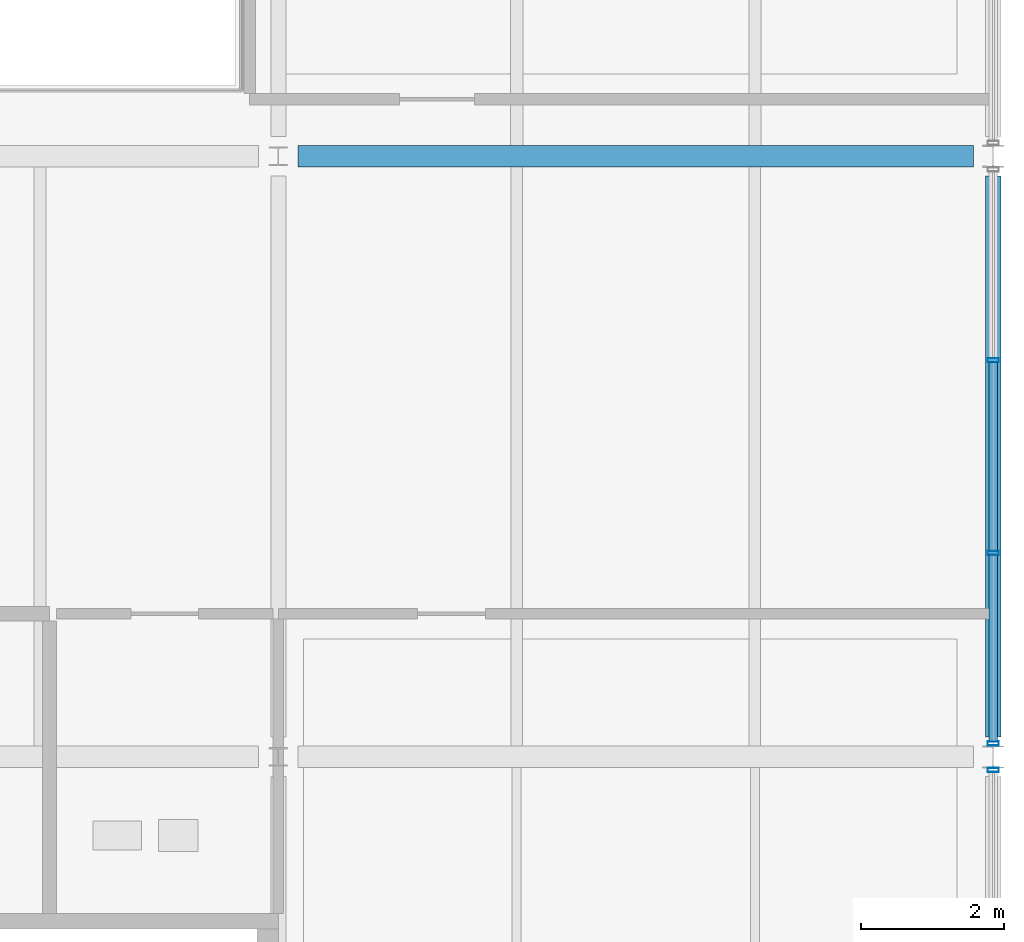
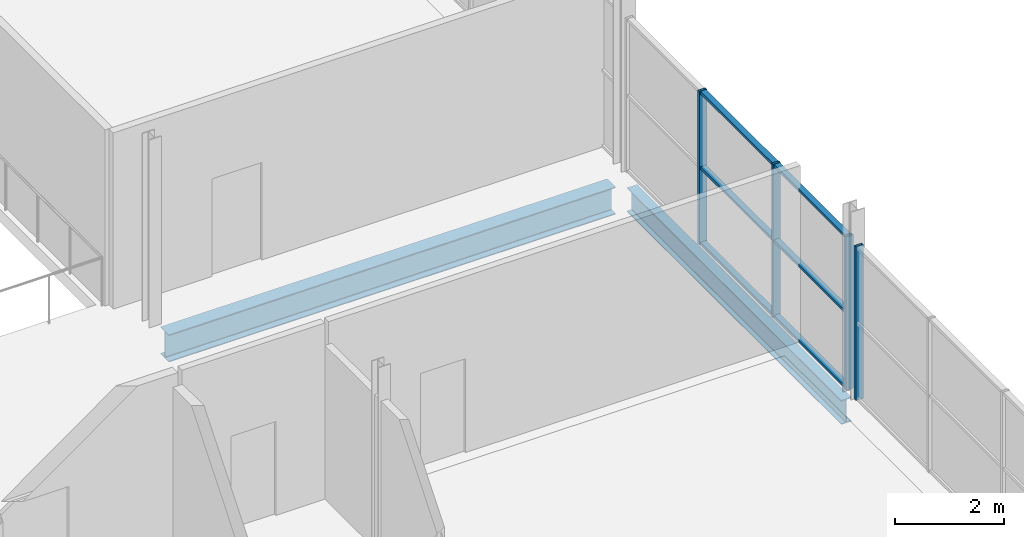
# One storey, part 104 of 161: 10 members, 2 beams, 2 elements without a shape of their own.
"""IFC4 building model written with IfcOpenShell, lengths in metres."""

from ifc_helpers import new_model, si_unit, direction, frame, origin, origin_2d, place, context, subcontext, project, spatial, hollow_rectangle, i_section, extrude, material, material_profile, profile_set, type_object, element, aggregate, save


model = new_model("IFC4")

# Units and contexts
model_context = context("Model", 3, precision=1e-05, world=origin(), true_north=direction((0.0, 1.0)))
body_context = subcontext(model_context, "Body", "Model", "MODEL_VIEW")
ifc_project = project(units=[si_unit("LENGTHUNIT", "METRE"), si_unit("AREAUNIT", "SQUARE_METRE"), si_unit("VOLUMEUNIT", "CUBIC_METRE"), si_unit("PLANEANGLEUNIT", "RADIAN"), si_unit("MASSUNIT", "GRAM", prefix="KILO"), si_unit("THERMODYNAMICTEMPERATUREUNIT", "KELVIN")], contexts=[model_context])

# Site, building, storey
site_placement = place(None, origin())
site = spatial("IfcSite", under=ifc_project, at=site_placement, CompositionType="ELEMENT")
building_placement = place(site_placement, origin())
building = spatial("IfcBuilding", under=site, at=building_placement, Name="Nduvali Passage Aquatics Centre", CompositionType="ELEMENT")
storey_placement = place(building_placement, frame((0.0, 0.0, 4.800048828125)))
storey = spatial("IfcBuildingStorey", under=building, at=storey_placement, Name="L01", CompositionType="ELEMENT", Elevation=4.800048828125)

# Curtain wall, member
ifc_material_1 = material(Name="Aluminium EN AW-6063 T6", Category="aluminium")
curtain_wall_type = type_object("IfcCurtainWallType", Name="ENV-CW-FOYR", PredefinedType="NOTDEFINED", material=ifc_material_1)
curtain_wall_1_placement = place(storey_placement, origin())
curtain_wall_1 = element("IfcCurtainWall", 1, at=curtain_wall_1_placement, inside=storey, type_object=curtain_wall_type, Name="L01 East Avenue Entrance End Upper CW 080", PredefinedType="NOTDEFINED")
ifc_material_profile_1 = material_profile(ifc_material_1, hollow_rectangle(XDim=0.06005859375, YDim=0.159912109375, WallThickness=0.00390625, at=origin_2d()), Name="ALU MULLION 60x160x4")
ifc_profile_set_1 = profile_set([ifc_material_profile_1], Name="Aluminium EN AW-6063 T6")
member_type_1 = type_object("IfcMemberType", Name="ENV-MEM-MUL60", PredefinedType="MULLION", material=ifc_profile_set_1)
member_1_placement = place(storey_placement, frame((168.0, 33.4150390625, 0.0), z_axis=(0.0, 0.0, 1.0), x_axis=(0.0, 1.0, 0.0)))
member_1 = element("IfcMember", 2, at=member_1_placement, type_object=member_type_1, Name="East Avenue Entrance End Upper CW Mullion 4", PredefinedType="MULLION", context=body_context, shape_type="SweptSolid", body=[
    extrude(hollow_rectangle(XDim=0.06005859375, YDim=0.159912109375, WallThickness=0.00390625, at=origin_2d()), origin(), (0.0, 0.0, 1.0), 3.436279296875),
])
aggregate(curtain_wall_1, [member_1])

# Curtain wall, members
curtain_wall_2_placement = place(storey_placement, origin())
curtain_wall_2 = element("IfcCurtainWall", 3, at=curtain_wall_2_placement, inside=storey, type_object=curtain_wall_type, Name="L01 East Avenue Entrance Upper CW 082", PredefinedType="NOTDEFINED")
member_2_placement = place(storey_placement, frame((168.0, 33.784912109375, 0.0), z_axis=(0.0, 0.0, 1.0), x_axis=(0.0, 1.0, 0.0)))
member_2 = element("IfcMember", 4, at=member_2_placement, type_object=member_type_1, Name="East Avenue Entrance Upper CW Mullion 1", PredefinedType="MULLION", context=body_context, shape_type="SweptSolid", body=[
    extrude(hollow_rectangle(XDim=0.06005859375, YDim=0.159912109375, WallThickness=0.00390625, at=origin_2d()), origin(), (0.0, 0.0, 1.0), 3.436279296875),
])
member_3_placement = place(storey_placement, frame((168.0, 36.45166015625, 0.0), z_axis=(0.0, 0.0, 1.0), x_axis=(0.0, 1.0, 0.0)))
member_3 = element("IfcMember", 5, at=member_3_placement, type_object=member_type_1, Name="East Avenue Entrance Upper CW Mullion 2", PredefinedType="MULLION", context=body_context, shape_type="SweptSolid", body=[
    extrude(hollow_rectangle(XDim=0.06005859375, YDim=0.159912109375, WallThickness=0.00390625, at=origin_2d()), origin(), (0.0, 0.0, 1.0), 3.436279296875),
])
member_4_placement = place(storey_placement, frame((168.0, 39.148193359375, 0.0), z_axis=(0.0, 0.0, 1.0), x_axis=(0.0, 1.0, 0.0)))
member_4 = element("IfcMember", 6, at=member_4_placement, type_object=member_type_1, Name="East Avenue Entrance Upper CW Mullion 3", PredefinedType="MULLION", context=body_context, shape_type="SweptSolid", body=[
    extrude(hollow_rectangle(XDim=0.06005859375, YDim=0.159912109375, WallThickness=0.00390625, at=origin_2d()), origin(), (0.0, 0.0, 1.0), 3.436279296875),
])
ifc_material_profile_2 = material_profile(ifc_material_1, hollow_rectangle(XDim=0.1201171875, YDim=0.06005859375, WallThickness=0.00390625, at=origin_2d()), Name="ALU TRANSOM 120x60x4")
ifc_profile_set_2 = profile_set([ifc_material_profile_2], Name="Aluminium EN AW-6063 T6")
member_type_2 = type_object("IfcMemberType", Name="ENV-MEM-TRN60", PredefinedType="USERDEFINED", material=ifc_profile_set_2)
member_5_placement = place(storey_placement, frame((168.0, 33.81494140625, 0.030029296875), z_axis=(0.0, 1.0, 0.0), x_axis=(-1.0, 0.0, 0.0)))
member_5 = element("IfcMember", 7, at=member_5_placement, type_object=member_type_2, Name="East Avenue Entrance Upper CW Transom B1-R0", ObjectType="TRANSOM", PredefinedType="USERDEFINED", context=body_context, shape_type="SweptSolid", body=[
    extrude(hollow_rectangle(XDim=0.1201171875, YDim=0.06005859375, WallThickness=0.00390625, at=origin_2d()), origin(), (0.0, 0.0, 1.0), 2.606689453125),
])
member_6_placement = place(storey_placement, frame((168.0, 33.81494140625, 1.71826171875), z_axis=(0.0, 1.0, 0.0), x_axis=(-1.0, 0.0, 0.0)))
member_6 = element("IfcMember", 8, at=member_6_placement, type_object=member_type_2, Name="East Avenue Entrance Upper CW Transom B1-R1", ObjectType="TRANSOM", PredefinedType="USERDEFINED", context=body_context, shape_type="SweptSolid", body=[
    extrude(hollow_rectangle(XDim=0.1201171875, YDim=0.06005859375, WallThickness=0.00390625, at=origin_2d()), origin(), (0.0, 0.0, 1.0), 2.606689453125),
])
member_7_placement = place(storey_placement, frame((168.0, 33.81494140625, 3.40625), z_axis=(0.0, 1.0, 0.0), x_axis=(-1.0, 0.0, 0.0)))
member_7 = element("IfcMember", 9, at=member_7_placement, type_object=member_type_2, Name="East Avenue Entrance Upper CW Transom B1-R2", ObjectType="TRANSOM", PredefinedType="USERDEFINED", context=body_context, shape_type="SweptSolid", body=[
    extrude(hollow_rectangle(XDim=0.1201171875, YDim=0.06005859375, WallThickness=0.00390625, at=origin_2d()), origin(), (0.0, 0.0, 1.0), 2.606689453125),
])
member_8_placement = place(storey_placement, frame((168.0, 36.481689453125, 0.030029296875), z_axis=(0.0, 1.0, 0.0), x_axis=(-1.0, 0.0, 0.0)))
member_8 = element("IfcMember", 10, at=member_8_placement, type_object=member_type_2, Name="East Avenue Entrance Upper CW Transom B2-R0", ObjectType="TRANSOM", PredefinedType="USERDEFINED", context=body_context, shape_type="SweptSolid", body=[
    extrude(hollow_rectangle(XDim=0.1201171875, YDim=0.06005859375, WallThickness=0.00390625, at=origin_2d()), origin(), (0.0, 0.0, 1.0), 2.63671875),
])
member_9_placement = place(storey_placement, frame((168.0, 36.481689453125, 1.71826171875), z_axis=(0.0, 1.0, 0.0), x_axis=(-1.0, 0.0, 0.0)))
member_9 = element("IfcMember", 11, at=member_9_placement, type_object=member_type_2, Name="East Avenue Entrance Upper CW Transom B2-R1", ObjectType="TRANSOM", PredefinedType="USERDEFINED", context=body_context, shape_type="SweptSolid", body=[
    extrude(hollow_rectangle(XDim=0.1201171875, YDim=0.06005859375, WallThickness=0.00390625, at=origin_2d()), origin(), (0.0, 0.0, 1.0), 2.63671875),
])
member_10_placement = place(storey_placement, frame((168.0, 36.481689453125, 3.40625), z_axis=(0.0, 1.0, 0.0), x_axis=(-1.0, 0.0, 0.0)))
member_10 = element("IfcMember", 12, at=member_10_placement, type_object=member_type_2, Name="East Avenue Entrance Upper CW Transom B2-R2", ObjectType="TRANSOM", PredefinedType="USERDEFINED", context=body_context, shape_type="SweptSolid", body=[
    extrude(hollow_rectangle(XDim=0.1201171875, YDim=0.06005859375, WallThickness=0.00390625, at=origin_2d()), origin(), (0.0, 0.0, 1.0), 2.63671875),
])
aggregate(curtain_wall_2, [member_2, member_3, member_4, member_5, member_6, member_7, member_8, member_9, member_10])

# Beams
ifc_material_2 = material(Name="Steel S355", Category="steel")
ifc_material_profile_3 = material_profile(ifc_material_2, i_section(OverallWidth=0.210693359375, OverallDepth=0.53955078125, WebThickness=0.01171875, FlangeThickness=0.018798828125, FilletRadius=0.0126953125, at=origin_2d()), Name="UKB 533x210x109")
ifc_profile_set_3 = profile_set([ifc_material_profile_3], Name="Steel S355")
beam_type_1 = type_object("IfcBeamType", Name="STR-BM-UKB533-EXT", PredefinedType="BEAM", material=ifc_profile_set_3)
beam_1_placement = place(storey_placement, frame((168.0, 33.875, -0.553955078125), z_axis=(0.0, 1.0, 0.0), x_axis=(-1.0, 0.0, 0.0)))
element("IfcBeam", 13, at=beam_1_placement, inside=storey, type_object=beam_type_1, Name="L01 Primary Y-Girder B6E-0683", PredefinedType="BEAM", context=body_context, shape_type="SweptSolid", body=[
    extrude(i_section(OverallWidth=0.210693359375, OverallDepth=0.53955078125, WebThickness=0.01171875, FlangeThickness=0.018798828125, FilletRadius=0.0126953125, at=origin_2d()), origin(), (0.0, 0.0, 1.0), 7.85009765625),
])
ifc_material_profile_4 = material_profile(ifc_material_2, i_section(OverallWidth=0.3046875, OverallDepth=0.6123046875, WebThickness=0.01171875, FlangeThickness=0.019775390625, FilletRadius=0.0166015625, at=origin_2d()), Name="UKB 610x305x149")
ifc_profile_set_4 = profile_set([ifc_material_profile_4], Name="Steel S355")
beam_type_2 = type_object("IfcBeamType", Name="STR-BM-UKB610W", PredefinedType="BEAM", material=ifc_profile_set_4)
beam_2_placement = place(storey_placement, frame((158.27490234375, 42.0, -0.59033203125), z_axis=(1.0, 0.0, 0.0), x_axis=(0.0, 1.0, 0.0)))
element("IfcBeam", 14, at=beam_2_placement, inside=storey, type_object=beam_type_2, Name="L01 Primary X-Girder B5A-0480", PredefinedType="BEAM", context=body_context, shape_type="SweptSolid", body=[
    extrude(i_section(OverallWidth=0.3046875, OverallDepth=0.6123046875, WebThickness=0.01171875, FlangeThickness=0.019775390625, FilletRadius=0.0166015625, at=origin_2d()), origin(), (0.0, 0.0, 1.0), 9.4501953125),
])

save(model, "model.ifc")
